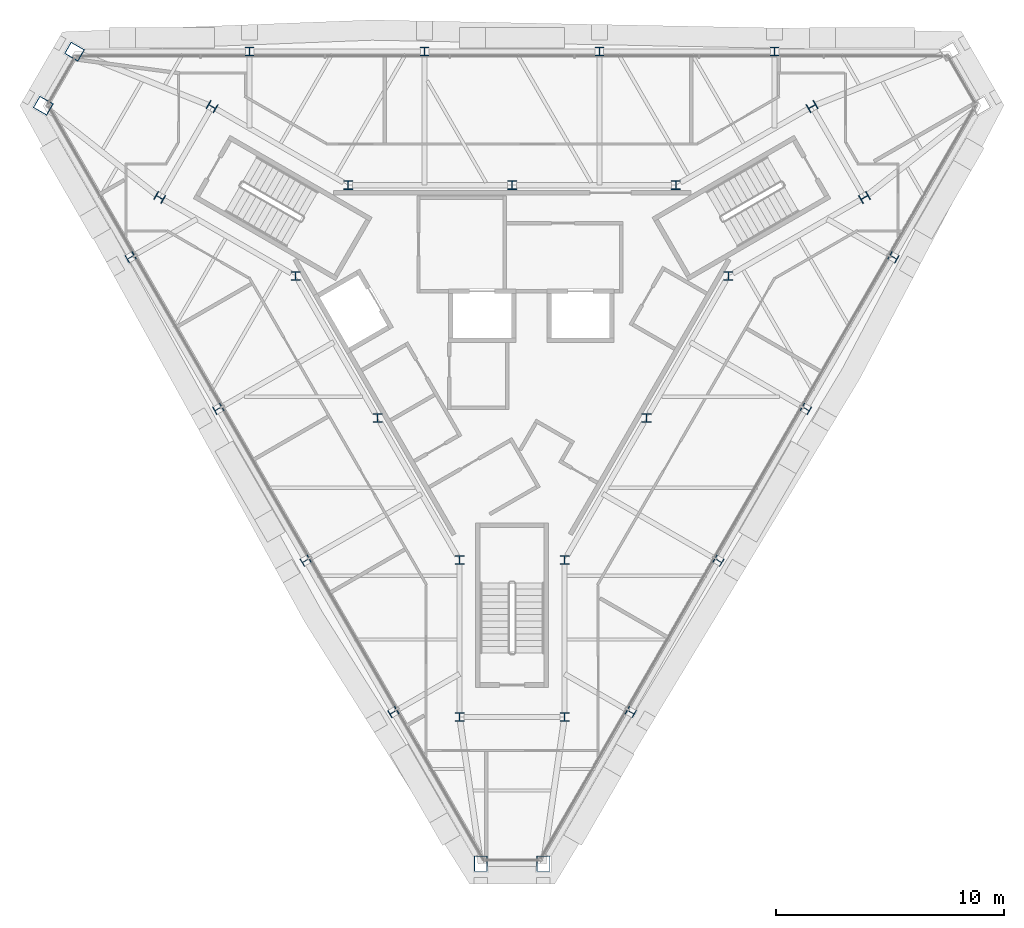
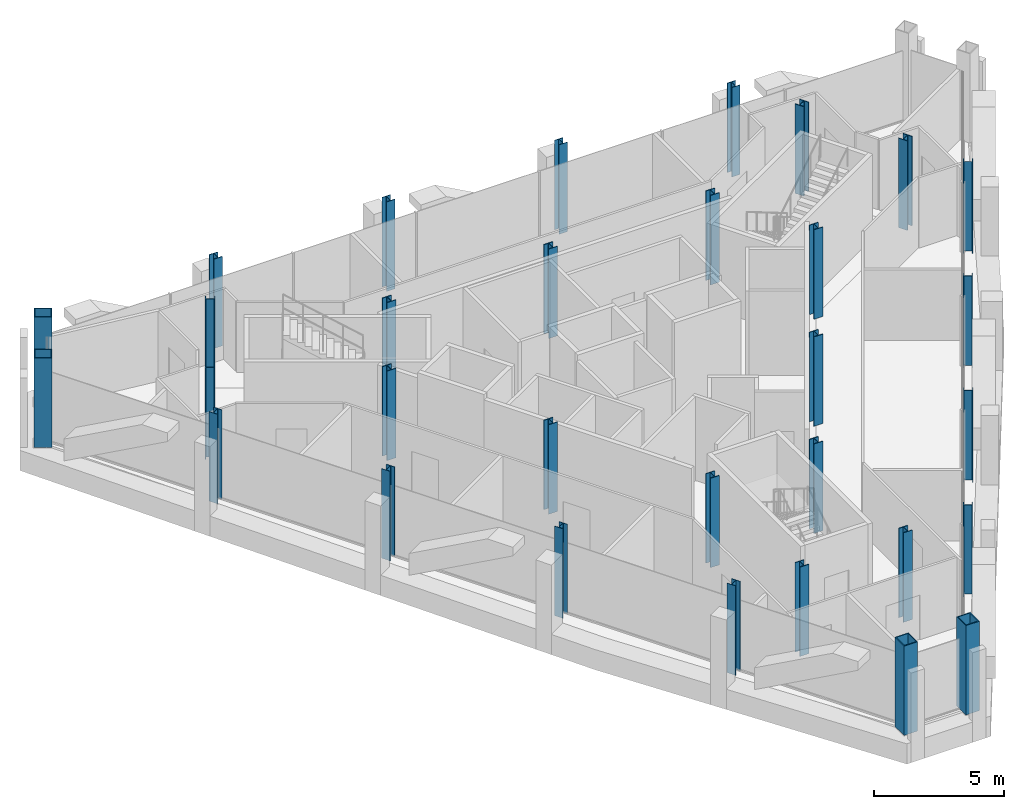
# One storey, part 1 of 13: 31 columns.
"""IFC4 building model written with IfcOpenShell, lengths in metres."""

import ifcopenshell
import ifcopenshell.guid

model = None  # the IFC model being written
_history = None  # IfcOwnerHistory: only IFC2X3 demands one
_inside = {}  # id of a spatial element -> (the spatial element, [elements in it])
_under = {}  # id of a project, library or spatial element -> (it, [spatial elements below it])
_declared = {}  # id of a project -> (the project, [libraries it declares])
_typed = {}  # id of a type object -> (the type object, [elements of that type])
_made_of = {}  # id of a material, layer set ... -> (it, [elements and type objects made of it])


def new_model(schema):
    """Start an empty IFC model of exactly this schema.

    Asked for "IFC4X3", IfcOpenShell would pick the latest addendum, in which some entities
    have other attributes; the version numbers below select the first issue.
    IFC2X3 requires an IfcOwnerHistory on every rooted entity: one is made here for all.
    """
    global model, _history
    if schema == "IFC4X3":
        model = ifcopenshell.file(schema_version=(4, 3, 0, 0))
    else:
        model = ifcopenshell.file(schema=schema)
    _inside.clear()
    _under.clear()
    _declared.clear()
    _typed.clear()
    _made_of.clear()
    _history = None
    if model.schema == "IFC2X3":
        org = make("IfcOrganization", Name="unknown")
        user = make(
            "IfcPersonAndOrganization",
            ThePerson=make("IfcPerson", FamilyName="unknown"),
            TheOrganization=org,
        )
        app = make(
            "IfcApplication",
            ApplicationDeveloper=org,
            Version="unknown",
            ApplicationFullName="unknown",
            ApplicationIdentifier="unknown",
        )
        _history = make(
            "IfcOwnerHistory",
            OwningUser=user,
            OwningApplication=app,
            ChangeAction="ADDED",
            CreationDate=0,
        )
    return model


def make(cls, **values):
    """One entity of the class cls with the attributes given. An attribute that is None is left unset."""
    return model.create_entity(
        cls, **{name: value for name, value in values.items() if value is not None}
    )


def rooted(cls, **values):
    """An entity with a GlobalId (a new one), such as an element, a storey or a relation."""
    return make(cls, GlobalId=ifcopenshell.guid.new(), OwnerHistory=_history, **values)


def si_unit(unit_type, name, prefix=None):
    """IfcSIUnit, for example si_unit("LENGTHUNIT", "METRE", prefix="MILLI")."""
    return make("IfcSIUnit", UnitType=unit_type, Prefix=prefix, Name=name)


def assignment(units):
    """IfcUnitAssignment: the units of a project."""
    return None if units is None else make("IfcUnitAssignment", Units=units)


def point(xyz):
    """IfcCartesianPoint."""
    return None if xyz is None else make("IfcCartesianPoint", Coordinates=xyz)


def direction(xyz):
    """IfcDirection."""
    return None if xyz is None else make("IfcDirection", DirectionRatios=xyz)


def frame(location, z_axis=None, x_axis=None):
    """IfcAxis2Placement3D, a coordinate frame: its origin and axes. An axis left out is left unset."""
    return make(
        "IfcAxis2Placement3D",
        Location=point(location),
        Axis=direction(z_axis),
        RefDirection=direction(x_axis),
    )


def frame_2d(location, x_axis=None):
    """IfcAxis2Placement2D, a coordinate frame in the plane: its origin and x axis."""
    return make(
        "IfcAxis2Placement2D", Location=point(location), RefDirection=direction(x_axis)
    )


def origin():
    """The frame at (0, 0, 0) with its axes left unset."""
    return frame((0.0, 0.0, 0.0))


def origin_2d():
    """The frame at (0, 0) in the plane with its x axis left unset."""
    return frame_2d((0.0, 0.0))


def place(relative_to, where):
    """IfcLocalPlacement: puts the frame where relative to a parent placement (None: the world)."""
    return make(
        "IfcLocalPlacement", PlacementRelTo=relative_to, RelativePlacement=where
    )


def context(
    kind, dimensions, precision=None, world=None, true_north=None, identifier=None
):
    """IfcGeometricRepresentationContext, for example the 3D "Model" context."""
    return make(
        "IfcGeometricRepresentationContext",
        ContextIdentifier=identifier,
        ContextType=kind,
        CoordinateSpaceDimension=dimensions,
        Precision=precision,
        WorldCoordinateSystem=world,
        TrueNorth=true_north,
    )


def subcontext(parent, identifier, kind, view, scale=None):
    """IfcGeometricRepresentationSubContext, for example "Body" below "Model"."""
    return make(
        "IfcGeometricRepresentationSubContext",
        ContextIdentifier=identifier,
        ContextType=kind,
        ParentContext=parent,
        TargetScale=scale,
        TargetView=view,
    )


def project(units=None, contexts=None):
    """IfcProject with its units and contexts."""
    return rooted(
        "IfcProject",
        Name="project",
        RepresentationContexts=contexts,
        UnitsInContext=assignment(units),
    )


def spatial(cls, under=None, at=None, **own):
    """A site, building, storey or space (cls), placed at a placement, below another one or the project."""
    s = rooted(cls, ObjectPlacement=at, **own)
    if under is not None:
        _under.setdefault(under.id(), (under, []))[1].append(s)
    return s


def profile(cls, at=None, kind="AREA", **sizes):
    """A parametric profile (cls). Its sizes go by their IFC names, for example OverallWidth=200.0."""
    return make(cls, ProfileType=kind, Position=at, **sizes)


def hollow_rectangle(**sizes):
    """IfcRectangleHollowProfileDef."""
    return profile("IfcRectangleHollowProfileDef", **sizes)


def i_section(**sizes):
    """IfcIShapeProfileDef."""
    return profile("IfcIShapeProfileDef", **sizes)


def extrude(swept, where, along, depth):
    """IfcExtrudedAreaSolid: the profile swept, set in the frame where, extruded along a direction by depth."""
    return make(
        "IfcExtrudedAreaSolid",
        SweptArea=swept,
        Position=where,
        ExtrudedDirection=direction(along),
        Depth=depth,
    )


def shape(context_of_items, identifier, shape_type, items):
    """IfcShapeRepresentation: the items that make up one representation, for example the "Body"."""
    return make(
        "IfcShapeRepresentation",
        ContextOfItems=context_of_items,
        RepresentationIdentifier=identifier,
        RepresentationType=shape_type,
        Items=items,
    )


def material(Name=None, Category=None):
    """IfcMaterial."""
    return make("IfcMaterial", Name=Name, Category=Category)


def material_profile(
    of_material, cross_section, Name=None, Category=None, Priority=None
):
    """IfcMaterialProfile: a cross section and its material."""
    return make(
        "IfcMaterialProfile",
        Name=Name,
        Material=of_material,
        Profile=cross_section,
        Priority=Priority,
        Category=Category,
    )


def profile_set(profiles, Name=None, composite=None):
    """IfcMaterialProfileSet."""
    return make(
        "IfcMaterialProfileSet",
        Name=Name,
        MaterialProfiles=profiles,
        CompositeProfile=composite,
    )


def made_of(thing, what):
    """Note that an element or type object is made of a material, layer set ...; save() writes the relation."""
    if what is not None:
        _made_of.setdefault(what.id(), (what, []))[1].append(thing)
    return thing


def type_object(cls, material=None, **own):
    """A type object (cls), such as IfcWallType, which elements share."""
    return made_of(rooted(cls, **own), material)


def element(
    cls,
    number,
    at=None,
    inside=None,
    cuts=None,
    type_object=None,
    material=None,
    context=None,
    identifier="Body",
    shape_type=None,
    held_by="IfcProductDefinitionShape",
    body=None,
    shapes=None,
    **own,
):
    """One element of the class cls, such as IfcWall. Its Tag is "e" and its number.

    at: its placement. inside: the storey or other place that contains it. cuts: it is an
    opening in that element (IfcRelVoidsElement). A single representation is given by context,
    identifier, shape_type and body (its items); several are given by shapes. held_by: the class
    of the entity that holds the representations. save() writes the other relations.
    """
    e = rooted(cls, Tag="e%d" % number, ObjectPlacement=at, **own)
    if body is not None:
        shapes = [shape(context, identifier, shape_type, body)]
    if shapes is not None:
        e.Representation = make(held_by, Representations=shapes)
    if inside is not None:
        _inside.setdefault(inside.id(), (inside, []))[1].append(e)
    if cuts is not None:
        rooted(
            "IfcRelVoidsElement", RelatingBuildingElement=cuts, RelatedOpeningElement=e
        )
    if type_object is not None:
        _typed.setdefault(type_object.id(), (type_object, []))[1].append(e)
    return made_of(e, material)


def aggregate(whole, parts):
    """IfcRelAggregates: a whole, such as a stair, and the parts it consists of."""
    return rooted("IfcRelAggregates", RelatingObject=whole, RelatedObjects=parts)


def save(model, path):
    """Write the relations noted so far, then the file.

    IfcRelAggregates (storeys below a building ...), IfcRelContainedInSpatialStructure (elements
    in a storey), IfcRelDefinesByType, IfcRelAssociatesMaterial and IfcRelDeclares: one each for
    every whole, place, type object, material and project.
    """
    for whole, parts in _under.values():
        aggregate(whole, parts)
    for where, things in _inside.values():
        rooted(
            "IfcRelContainedInSpatialStructure",
            RelatedElements=things,
            RelatingStructure=where,
        )
    for kind, things in _typed.values():
        rooted("IfcRelDefinesByType", RelatedObjects=things, RelatingType=kind)
    for what, things in _made_of.values():
        rooted("IfcRelAssociatesMaterial", RelatedObjects=things, RelatingMaterial=what)
    for by, libraries in _declared.values():
        rooted("IfcRelDeclares", RelatingContext=by, RelatedDefinitions=libraries)
    model.write(path)


model = new_model("IFC4")

# Units and contexts
model_context = context("Model", 3, precision=1e-05, world=origin(), true_north=direction((0.0, 1.0)))
body_context = subcontext(model_context, "Body", "Model", "MODEL_VIEW")
ifc_project = project(units=[si_unit("LENGTHUNIT", "METRE"), si_unit("AREAUNIT", "SQUARE_METRE"), si_unit("VOLUMEUNIT", "CUBIC_METRE"), si_unit("PLANEANGLEUNIT", "RADIAN"), si_unit("MASSUNIT", "GRAM", prefix="KILO")], contexts=[model_context])

# Site, building, storey
site_placement = place(None, origin())
site = spatial("IfcSite", under=ifc_project, at=site_placement, CompositionType="ELEMENT")
building_placement = place(site_placement, origin())
building = spatial("IfcBuilding", under=site, at=building_placement, Name="Verrane Prism Tower", CompositionType="ELEMENT")
storey_placement = place(building_placement, frame((0.0, 0.0, 325.199951171875)))
storey = spatial("IfcBuildingStorey", under=building, at=storey_placement, Name="L82", CompositionType="ELEMENT", Elevation=325.199951171875)

# Columns
ifc_material_1 = material(Name="Steel A992", Category="steel")
ifc_material_profile_1 = material_profile(ifc_material_1, i_section(OverallWidth=0.398681640625, OverallDepth=0.385986328125, WebThickness=0.02099609375, FlangeThickness=0.033203125, FilletRadius=0.01513671875, at=origin_2d()), Name="W14x176")
ifc_profile_set_1 = profile_set([ifc_material_profile_1], Name="Steel A992")
column_type_1 = type_object("IfcColumnType", Name="Core corner column W14x176", PredefinedType="COLUMN", material=ifc_profile_set_1)
for number, where, z_axis, x_axis, name in (
    (1, (15.43994140625, 6.260009765625, 0.0), (0.0, 0.0, 1.0), (0.5, -0.866025403784, 0.0), "Core corner column CK-NEm L82"),
    (2, (13.139892578125, 10.239990234375, 0.0), (0.0, 0.0, 1.0), (0.5, -0.866025403784, 0.0), "Core corner column CK-NEp L82"),
    (3, (-13.139892578125, 10.239990234375, 0.0), (0.0, 0.0, 1.0), (0.5, 0.866025403784, 0.0), "Core corner column CK-NWm L82"),
    (4, (-15.43994140625, 6.260009765625, 0.0), (0.0, 0.0, 1.0), (0.5, 0.866025403784, 0.0), "Core corner column CK-NWp L82"),
    (5, (-2.300048828125, -16.5, 0.0), (0.0, 0.0, 1.0), (-1.0, 0.0, 0.0), "Core corner column CK-Sm L82"),
    (6, (2.300048828125, -16.5, 0.0), (0.0, 0.0, 1.0), (-1.0, 0.0, 0.0), "Core corner column CK-Sp L82"),
):
    element("IfcColumn", number, at=place(storey_placement, frame(where, z_axis=z_axis, x_axis=x_axis)), inside=storey, type_object=column_type_1, Name=name, PredefinedType="COLUMN", context=body_context, shape_type="SweptSolid", body=[
        extrude(i_section(OverallWidth=0.398681640625, OverallDepth=0.385986328125, WebThickness=0.02099609375, FlangeThickness=0.033203125, FilletRadius=0.01513671875, at=origin_2d()), origin(), (0.0, 0.0, 1.0), 4.199951171875),
    ])
ifc_material_2 = material(Name="Steel A992", Category="steel")
ifc_material_profile_2 = material_profile(ifc_material_2, i_section(OverallWidth=0.398681640625, OverallDepth=0.385986328125, WebThickness=0.02099609375, FlangeThickness=0.033203125, FilletRadius=0.01513671875, at=origin_2d()), Name="W14x176")
ifc_profile_set_2 = profile_set([ifc_material_profile_2], Name="Steel A992")
column_type_2 = type_object("IfcColumnType", Name="Core side column W14x176", PredefinedType="COLUMN", material=ifc_profile_set_2)
for number, where, z_axis, x_axis, name in (
    (7, (9.47998046875, 2.820068359375, 0.0), (0.0, 0.0, 1.0), (1.0, 0.0, 0.0), "Core side column CC-NEm L82"),
    (8, (7.179931640625, 6.800048828125, 0.0), (0.0, 0.0, 1.0), (1.0, 0.0, 0.0), "Core side column CC-NEp L82"),
    (9, (0.0, 6.800048828125, 0.0), (0.0, 0.0, 1.0), (1.0, 0.0, 0.0), "Core side column CC-N0 L82"),
    (10, (-7.179931640625, 6.800048828125, 0.0), (0.0, 0.0, 1.0), (1.0, 0.0, 0.0), "Core side column CC-NWm L82"),
    (11, (-9.47998046875, 2.820068359375, 0.0), (0.0, 0.0, 1.0), (1.0, 0.0, 0.0), "Core side column CC-NWp L82"),
    (12, (-5.889892578125, -3.39990234375, 0.0), (0.0, 0.0, 1.0), (1.0, 0.0, 0.0), "Core side column CC-SW0 L82"),
    (13, (-2.300048828125, -9.6201171875, 0.0), (0.0, 0.0, 1.0), (1.0, 0.0, 0.0), "Core side column CC-Sm L82"),
    (14, (2.300048828125, -9.6201171875, 0.0), (0.0, 0.0, 1.0), (1.0, 0.0, 0.0), "Core side column CC-Sp L82"),
    (15, (5.889892578125, -3.39990234375, 0.0), (0.0, 0.0, 1.0), (1.0, 0.0, 0.0), "Core side column CC-SE0 L82"),
):
    element("IfcColumn", number, at=place(storey_placement, frame(where, z_axis=z_axis, x_axis=x_axis)), inside=storey, type_object=column_type_2, Name=name, PredefinedType="COLUMN", context=body_context, shape_type="SweptSolid", body=[
        extrude(i_section(OverallWidth=0.398681640625, OverallDepth=0.385986328125, WebThickness=0.02099609375, FlangeThickness=0.033203125, FilletRadius=0.01513671875, at=origin_2d()), origin(), (0.0, 0.0, 1.0), 4.199951171875),
    ])
ifc_material_3 = material(Name="Steel A572 Grade 50", Category="steel")
ifc_material_profile_3 = material_profile(ifc_material_3, hollow_rectangle(XDim=0.60009765625, YDim=0.699951171875, WallThickness=0.0400390625, at=origin_2d()), Name="BOX 700x600x40")
ifc_profile_set_3 = profile_set([ifc_material_profile_3], Name="Steel A572 Grade 50")
column_type_3 = type_object("IfcColumnType", Name="Megacolumn BOX 700x600x40", PredefinedType="COLUMN", material=ifc_profile_set_3)
for number, where, z_axis, x_axis, name in (
    (16, (-19.169921875, 12.64990234375, 0.0), (0.0, 0.0, 1.0), (0.5, 0.866025403784, 0.0), "Megacolumn MC-NW.a L82"),
    (17, (-20.5400390625, 10.280029296875, 0.0), (0.0, 0.0, 1.0), (0.5, 0.866025403784, 0.0), "Megacolumn MC-NW.b L82"),
    (18, (-1.3701171875, -22.929931640625, 0.0), (0.0, 0.0, 1.0), (-1.0, 0.0, 0.0), "Megacolumn MC-S.a L82"),
    (19, (1.3701171875, -22.929931640625, 0.0), (0.0, 0.0, 1.0), (-1.0, 0.0, 0.0), "Megacolumn MC-S.b L82"),
):
    element("IfcColumn", number, at=place(storey_placement, frame(where, z_axis=z_axis, x_axis=x_axis)), inside=storey, type_object=column_type_3, Name=name, PredefinedType="COLUMN", context=body_context, shape_type="SweptSolid", body=[
        extrude(hollow_rectangle(XDim=0.60009765625, YDim=0.699951171875, WallThickness=0.0400390625, at=origin_2d()), origin(), (0.0, 0.0, 1.0), 4.199951171875),
    ])
ifc_material_4 = material(Name="Steel A992", Category="steel")
ifc_material_profile_4 = material_profile(ifc_material_4, i_section(OverallWidth=0.373291015625, OverallDepth=0.368408203125, WebThickness=0.014892578125, FlangeThickness=0.02392578125, FilletRadius=0.01513671875, at=origin_2d()), Name="W14x120")
ifc_profile_set_4 = profile_set([ifc_material_profile_4], Name="Steel A992")
column_type_4 = type_object("IfcColumnType", Name="Perimeter column W14x120", PredefinedType="COLUMN", material=ifc_profile_set_4)
for number, where, z_axis, x_axis, name in (
    (20, (11.5, 12.64990234375, 0.0), (0.0, 0.0, 1.0), (1.0, 0.0, 0.0), "Perimeter column PC-N1 L82"),
    (21, (3.830078125, 12.64990234375, 0.0), (0.0, 0.0, 1.0), (1.0, 0.0, 0.0), "Perimeter column PC-N2 L82"),
    (22, (-3.830078125, 12.64990234375, 0.0), (0.0, 0.0, 1.0), (1.0, 0.0, 0.0), "Perimeter column PC-N3 L82"),
    (23, (-11.5, 12.64990234375, 0.0), (0.0, 0.0, 1.0), (1.0, 0.0, 0.0), "Perimeter column PC-N4 L82"),
    (24, (-16.7099609375, 3.639892578125, 0.0), (0.0, 0.0, 1.0), (-0.5, 0.866025403784, 0.0), "Perimeter column PC-SW1 L82"),
    (25, (-12.8701171875, -3.0, 0.0), (0.0, 0.0, 1.0), (-0.5, 0.866025403784, 0.0), "Perimeter column PC-SW2 L82"),
    (26, (-9.0400390625, -9.64990234375, 0.0), (0.0, 0.0, 1.0), (-0.5, 0.866025403784, 0.0), "Perimeter column PC-SW3 L82"),
    (27, (-5.199951171875, -16.2900390625, 0.0), (0.0, 0.0, 1.0), (-0.5, 0.866025403784, 0.0), "Perimeter column PC-SW4 L82"),
    (28, (5.199951171875, -16.2900390625, 0.0), (0.0, 0.0, 1.0), (-0.5, -0.866025403784, 0.0), "Perimeter column PC-SE1 L82"),
    (29, (9.0400390625, -9.64990234375, 0.0), (0.0, 0.0, 1.0), (-0.5, -0.866025403784, 0.0), "Perimeter column PC-SE2 L82"),
    (30, (12.8701171875, -3.0, 0.0), (0.0, 0.0, 1.0), (-0.5, -0.866025403784, 0.0), "Perimeter column PC-SE3 L82"),
    (31, (16.7099609375, 3.639892578125, 0.0), (0.0, 0.0, 1.0), (-0.5, -0.866025403784, 0.0), "Perimeter column PC-SE4 L82"),
):
    element("IfcColumn", number, at=place(storey_placement, frame(where, z_axis=z_axis, x_axis=x_axis)), inside=storey, type_object=column_type_4, Name=name, PredefinedType="COLUMN", context=body_context, shape_type="SweptSolid", body=[
        extrude(i_section(OverallWidth=0.373291015625, OverallDepth=0.368408203125, WebThickness=0.014892578125, FlangeThickness=0.02392578125, FilletRadius=0.01513671875, at=origin_2d()), origin(), (0.0, 0.0, 1.0), 4.199951171875),
    ])

save(model, "model.ifc")
